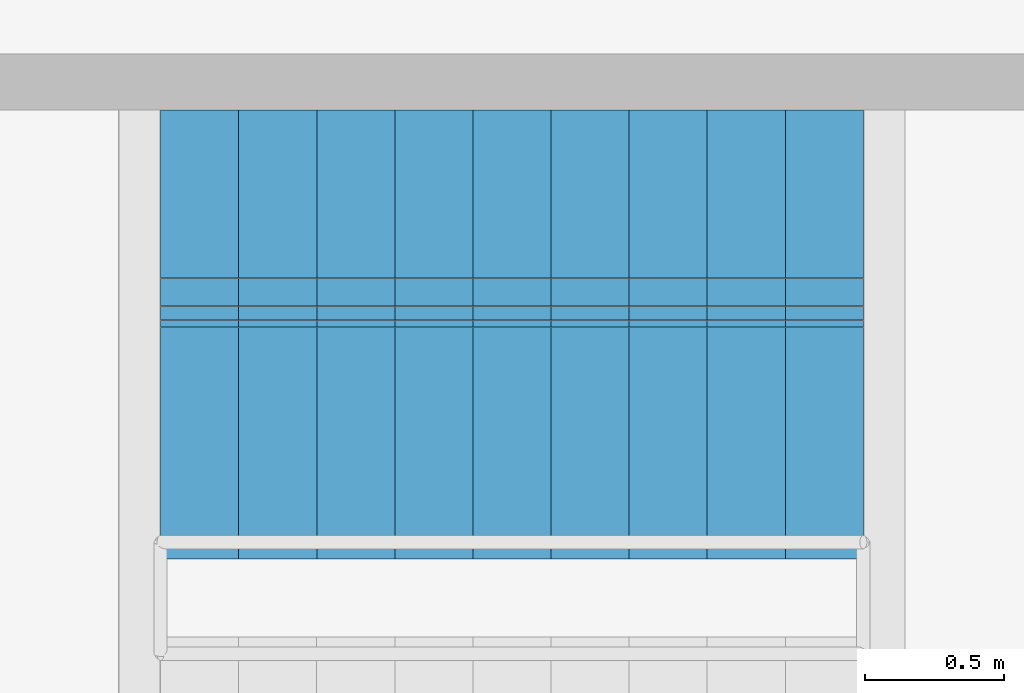
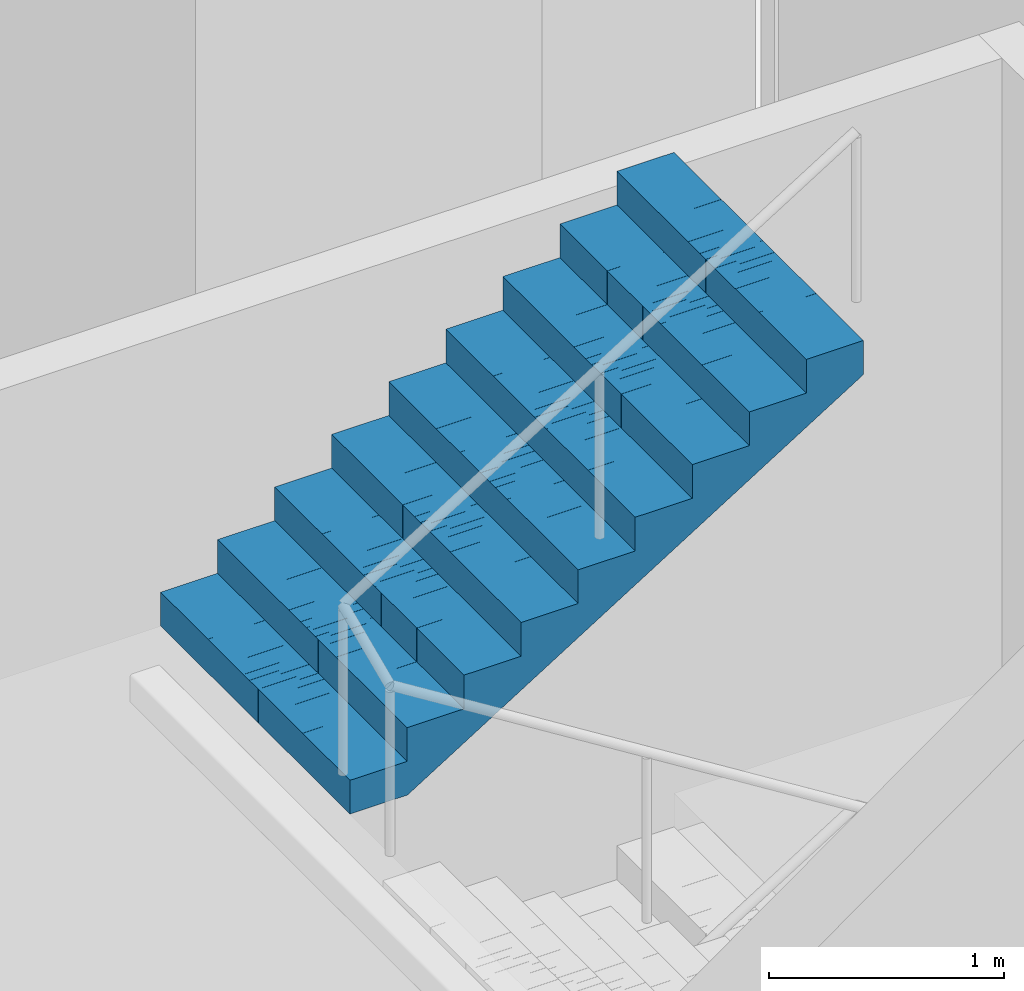
# One storey, part 27 of 43: 1 stair flight, 1 element without a shape of its own.
"""IFC4 building model written with IfcOpenShell, lengths in metres."""

from ifc_helpers import new_model, si_unit, direction, frame, origin, place, context, subcontext, project, spatial, polyline, outline, extrude, material, type_object, element, aggregate, save


model = new_model("IFC4")

# Units and contexts
model_context = context("Model", 3, precision=1e-05, world=origin(), true_north=direction((0.0, 1.0)))
body_context = subcontext(model_context, "Body", "Model", "MODEL_VIEW")
ifc_project = project(units=[si_unit("LENGTHUNIT", "METRE"), si_unit("AREAUNIT", "SQUARE_METRE"), si_unit("VOLUMEUNIT", "CUBIC_METRE"), si_unit("PLANEANGLEUNIT", "RADIAN"), si_unit("MASSUNIT", "GRAM", prefix="KILO")], contexts=[model_context])

# Site, building, storey
site_placement = place(None, origin())
site = spatial("IfcSite", under=ifc_project, at=site_placement, CompositionType="ELEMENT")
building_placement = place(site_placement, origin())
building = spatial("IfcBuilding", under=site, at=building_placement, Name="Mizan Broadcast Tower", CompositionType="ELEMENT")
storey_placement = place(building_placement, origin())
storey = spatial("IfcBuildingStorey", under=building, at=storey_placement, Name="L00", CompositionType="ELEMENT", Elevation=0.0)

# Stair, stair flight
ifc_material_1 = material(Name="Concrete C40/50", Category="concrete")
stair_type = type_object("IfcStairType", Name="EXIT STAIR", PredefinedType="HALF_TURN_STAIR", material=ifc_material_1)
stair_placement = place(storey_placement, origin())
stair = element("IfcStair", 1, at=stair_placement, inside=storey, type_object=stair_type, Name="Stair C L00", PredefinedType="HALF_TURN_STAIR")
ifc_material_2 = material(Name="Concrete C40/50", Category="concrete")
stair_flight_type = type_object("IfcStairFlightType", Name="EXIT STAIR FLIGHT", PredefinedType="STRAIGHT", material=ifc_material_2)
stair_flight_placement = place(storey_placement, frame((22.3701171875, 4.094970703125, 5.25), z_axis=(0.0, 0.0, 1.0), x_axis=(1.0, 0.0, 0.0)))
stair_flight = element("IfcStairFlight", 2, at=stair_flight_placement, type_object=stair_flight_type, Name="C flight 4", NumberOfRisers=10, NumberOfTreads=9, PredefinedType="STRAIGHT", RiserHeight=0.175, TreadLength=0.28, context=body_context, shape_type="SweptSolid", body=[
    extrude(outline(polyline([(0.0, 0.0), (0.0, 0.175048828125), (0.280029296875, 0.175048828125), (0.280029296875, 0.35009765625), (0.56005859375, 0.35009765625), (0.56005859375, 0.52490234375), (0.840087890625, 0.52490234375), (0.840087890625, 0.699951171875), (1.1201171875, 0.699951171875), (1.1201171875, 0.875), (1.39990234375, 0.875), (1.39990234375, 1.050048828125), (1.679931640625, 1.050048828125), (1.679931640625, 1.22509765625), (1.9599609375, 1.22509765625), (1.9599609375, 1.39990234375), (2.239990234375, 1.39990234375), (2.239990234375, 1.574951171875), (2.52001953125, 1.574951171875), (2.52001953125, 1.75), (2.52001953125, 1.398193359375), (0.28271484375, 0.0), (0.0, 0.0)])), frame((0.0, 0.80517578125, 0.0), z_axis=(0.0, -1.0, 0.0), x_axis=(1.0, 0.0, 0.0)), (0.0, 0.0, 1.0), 0.40234375),
    extrude(outline(polyline([(0.0, 0.0), (0.0, 0.175048828125), (0.280029296875, 0.175048828125), (0.280029296875, 0.35009765625), (0.56005859375, 0.35009765625), (0.56005859375, 0.52490234375), (0.840087890625, 0.52490234375), (0.840087890625, 0.699951171875), (1.1201171875, 0.699951171875), (1.1201171875, 0.875), (1.39990234375, 0.875), (1.39990234375, 1.050048828125), (1.679931640625, 1.050048828125), (1.679931640625, 1.22509765625), (1.9599609375, 1.22509765625), (1.9599609375, 1.39990234375), (2.239990234375, 1.39990234375), (2.239990234375, 1.574951171875), (2.52001953125, 1.574951171875), (2.52001953125, 1.75), (2.52001953125, 1.398193359375), (0.28271484375, 0.0), (0.0, 0.0)])), frame((0.0, 0.40234375, 0.0), z_axis=(0.0, -1.0, 0.0), x_axis=(1.0, 0.0, 0.0)), (0.0, 0.0, 1.0), 0.20068359375),
    extrude(outline(polyline([(0.0, 0.0), (0.0, 0.175048828125), (0.280029296875, 0.175048828125), (0.280029296875, 0.35009765625), (0.56005859375, 0.35009765625), (0.56005859375, 0.52490234375), (0.840087890625, 0.52490234375), (0.840087890625, 0.699951171875), (1.1201171875, 0.699951171875), (1.1201171875, 0.875), (1.39990234375, 0.875), (1.39990234375, 1.050048828125), (1.679931640625, 1.050048828125), (1.679931640625, 1.22509765625), (1.9599609375, 1.22509765625), (1.9599609375, 1.39990234375), (2.239990234375, 1.39990234375), (2.239990234375, 1.574951171875), (2.52001953125, 1.574951171875), (2.52001953125, 1.75), (2.52001953125, 1.398193359375), (0.28271484375, 0.0), (0.0, 0.0)])), frame((0.0, 0.201171875, 0.0), z_axis=(0.0, -1.0, 0.0), x_axis=(1.0, 0.0, 0.0)), (0.0, 0.0, 1.0), 0.10009765625),
    extrude(outline(polyline([(0.0, 0.0), (0.0, 0.175048828125), (0.280029296875, 0.175048828125), (0.280029296875, 0.35009765625), (0.56005859375, 0.35009765625), (0.56005859375, 0.52490234375), (0.840087890625, 0.52490234375), (0.840087890625, 0.699951171875), (1.1201171875, 0.699951171875), (1.1201171875, 0.875), (1.39990234375, 0.875), (1.39990234375, 1.050048828125), (1.679931640625, 1.050048828125), (1.679931640625, 1.22509765625), (1.9599609375, 1.22509765625), (1.9599609375, 1.39990234375), (2.239990234375, 1.39990234375), (2.239990234375, 1.574951171875), (2.52001953125, 1.574951171875), (2.52001953125, 1.75), (2.52001953125, 1.398193359375), (0.28271484375, 0.0), (0.0, 0.0)])), frame((0.0, 0.1005859375, 0.0), z_axis=(0.0, -1.0, 0.0), x_axis=(1.0, 0.0, 0.0)), (0.0, 0.0, 1.0), 0.0498046875),
    extrude(outline(polyline([(0.0, 0.0), (0.0, 0.175048828125), (0.280029296875, 0.175048828125), (0.280029296875, 0.35009765625), (0.56005859375, 0.35009765625), (0.56005859375, 0.52490234375), (0.840087890625, 0.52490234375), (0.840087890625, 0.699951171875), (1.1201171875, 0.699951171875), (1.1201171875, 0.875), (1.39990234375, 0.875), (1.39990234375, 1.050048828125), (1.679931640625, 1.050048828125), (1.679931640625, 1.22509765625), (1.9599609375, 1.22509765625), (1.9599609375, 1.39990234375), (2.239990234375, 1.39990234375), (2.239990234375, 1.574951171875), (2.52001953125, 1.574951171875), (2.52001953125, 1.75), (2.52001953125, 1.398193359375), (0.28271484375, 0.0), (0.0, 0.0)])), frame((0.0, 0.05029296875, 0.0), z_axis=(0.0, -1.0, 0.0), x_axis=(1.0, 0.0, 0.0)), (0.0, 0.0, 1.0), 0.024658203125),
    extrude(outline(polyline([(0.0, 0.0), (0.0, 0.175048828125), (0.280029296875, 0.175048828125), (0.280029296875, 0.35009765625), (0.56005859375, 0.35009765625), (0.56005859375, 0.52490234375), (0.840087890625, 0.52490234375), (0.840087890625, 0.699951171875), (1.1201171875, 0.699951171875), (1.1201171875, 0.875), (1.39990234375, 0.875), (1.39990234375, 1.050048828125), (1.679931640625, 1.050048828125), (1.679931640625, 1.22509765625), (1.9599609375, 1.22509765625), (1.9599609375, 1.39990234375), (2.239990234375, 1.39990234375), (2.239990234375, 1.574951171875), (2.52001953125, 1.574951171875), (2.52001953125, 1.75), (2.52001953125, 1.398193359375), (0.28271484375, 0.0), (0.0, 0.0)])), frame((0.0, 0.025146484375, 0.0), z_axis=(0.0, -1.0, 0.0), x_axis=(1.0, 0.0, 0.0)), (0.0, 0.0, 1.0), 0.050048828125),
    extrude(outline(polyline([(0.0, 0.0), (0.0, 0.175048828125), (0.280029296875, 0.175048828125), (0.280029296875, 0.35009765625), (0.56005859375, 0.35009765625), (0.56005859375, 0.52490234375), (0.840087890625, 0.52490234375), (0.840087890625, 0.699951171875), (1.1201171875, 0.699951171875), (1.1201171875, 0.875), (1.39990234375, 0.875), (1.39990234375, 1.050048828125), (1.679931640625, 1.050048828125), (1.679931640625, 1.22509765625), (1.9599609375, 1.22509765625), (1.9599609375, 1.39990234375), (2.239990234375, 1.39990234375), (2.239990234375, 1.574951171875), (2.52001953125, 1.574951171875), (2.52001953125, 1.75), (2.52001953125, 1.398193359375), (0.28271484375, 0.0), (0.0, 0.0)])), frame((0.0, -0.025390625, 0.0), z_axis=(0.0, -1.0, 0.0), x_axis=(1.0, 0.0, 0.0)), (0.0, 0.0, 1.0), 0.024658203125),
    extrude(outline(polyline([(0.0, 0.0), (0.0, 0.175048828125), (0.280029296875, 0.175048828125), (0.280029296875, 0.35009765625), (0.56005859375, 0.35009765625), (0.56005859375, 0.52490234375), (0.840087890625, 0.52490234375), (0.840087890625, 0.699951171875), (1.1201171875, 0.699951171875), (1.1201171875, 0.875), (1.39990234375, 0.875), (1.39990234375, 1.050048828125), (1.679931640625, 1.050048828125), (1.679931640625, 1.22509765625), (1.9599609375, 1.22509765625), (1.9599609375, 1.39990234375), (2.239990234375, 1.39990234375), (2.239990234375, 1.574951171875), (2.52001953125, 1.574951171875), (2.52001953125, 1.75), (2.52001953125, 1.398193359375), (0.28271484375, 0.0), (0.0, 0.0)])), frame((0.0, -0.050537109375, 0.0), z_axis=(0.0, -1.0, 0.0), x_axis=(1.0, 0.0, 0.0)), (0.0, 0.0, 1.0), 0.0498046875),
    extrude(outline(polyline([(0.0, 0.0), (0.0, 0.175048828125), (0.280029296875, 0.175048828125), (0.280029296875, 0.35009765625), (0.56005859375, 0.35009765625), (0.56005859375, 0.52490234375), (0.840087890625, 0.52490234375), (0.840087890625, 0.699951171875), (1.1201171875, 0.699951171875), (1.1201171875, 0.875), (1.39990234375, 0.875), (1.39990234375, 1.050048828125), (1.679931640625, 1.050048828125), (1.679931640625, 1.22509765625), (1.9599609375, 1.22509765625), (1.9599609375, 1.39990234375), (2.239990234375, 1.39990234375), (2.239990234375, 1.574951171875), (2.52001953125, 1.574951171875), (2.52001953125, 1.75), (2.52001953125, 1.398193359375), (0.28271484375, 0.0), (0.0, 0.0)])), frame((0.0, -0.100830078125, 0.0), z_axis=(0.0, -1.0, 0.0), x_axis=(1.0, 0.0, 0.0)), (0.0, 0.0, 1.0), 0.10009765625),
    extrude(outline(polyline([(0.0, 0.0), (0.0, 0.175048828125), (0.280029296875, 0.175048828125), (0.280029296875, 0.35009765625), (0.56005859375, 0.35009765625), (0.56005859375, 0.52490234375), (0.840087890625, 0.52490234375), (0.840087890625, 0.699951171875), (1.1201171875, 0.699951171875), (1.1201171875, 0.875), (1.39990234375, 0.875), (1.39990234375, 1.050048828125), (1.679931640625, 1.050048828125), (1.679931640625, 1.22509765625), (1.9599609375, 1.22509765625), (1.9599609375, 1.39990234375), (2.239990234375, 1.39990234375), (2.239990234375, 1.574951171875), (2.52001953125, 1.574951171875), (2.52001953125, 1.75), (2.52001953125, 1.398193359375), (0.28271484375, 0.0), (0.0, 0.0)])), frame((0.0, -0.201416015625, 0.0), z_axis=(0.0, -1.0, 0.0), x_axis=(1.0, 0.0, 0.0)), (0.0, 0.0, 1.0), 0.20068359375),
    extrude(outline(polyline([(0.0, 0.0), (0.0, 0.175048828125), (0.280029296875, 0.175048828125), (0.280029296875, 0.35009765625), (0.56005859375, 0.35009765625), (0.56005859375, 0.52490234375), (0.840087890625, 0.52490234375), (0.840087890625, 0.699951171875), (1.1201171875, 0.699951171875), (1.1201171875, 0.875), (1.39990234375, 0.875), (1.39990234375, 1.050048828125), (1.679931640625, 1.050048828125), (1.679931640625, 1.22509765625), (1.9599609375, 1.22509765625), (1.9599609375, 1.39990234375), (2.239990234375, 1.39990234375), (2.239990234375, 1.574951171875), (2.52001953125, 1.574951171875), (2.52001953125, 1.75), (2.52001953125, 1.398193359375), (0.28271484375, 0.0), (0.0, 0.0)])), frame((0.0, -0.402587890625, 0.0), z_axis=(0.0, -1.0, 0.0), x_axis=(1.0, 0.0, 0.0)), (0.0, 0.0, 1.0), 0.40234375),
])
aggregate(stair, [stair_flight])

save(model, "model.ifc")
